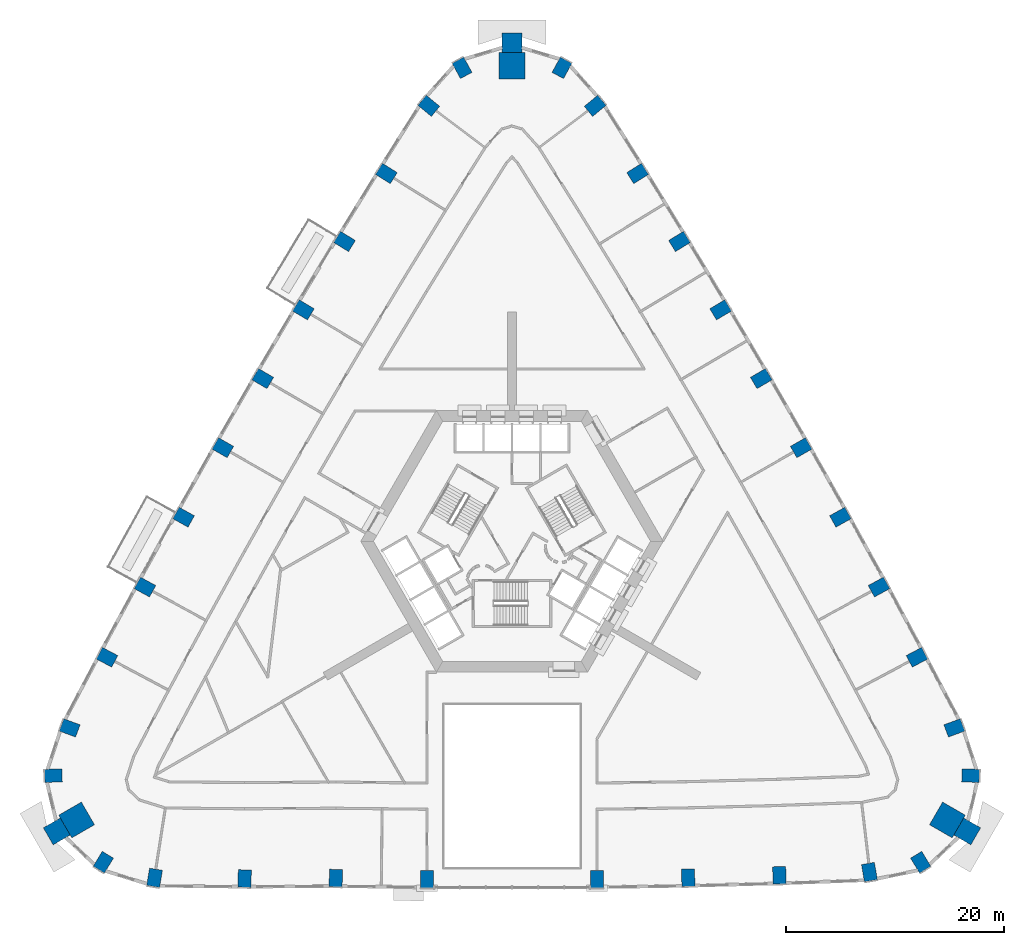
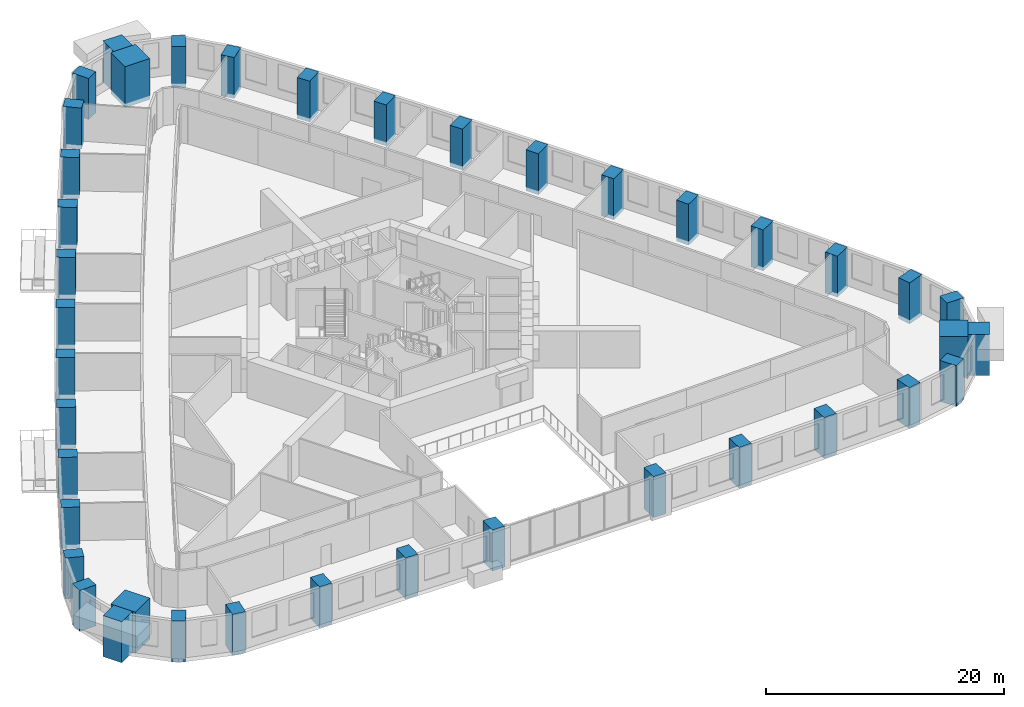
# One storey, part 1 of 16: 40 columns.
"""IFC4 building model written with IfcOpenShell, lengths in metres."""

from ifc_helpers import new_model, si_unit, direction, frame, origin, origin_2d, place, context, subcontext, project, spatial, rectangle, extrude, material, material_profile, profile_set, type_object, element, save


model = new_model("IFC4")

# Units and contexts
model_context = context("Model", 3, precision=1e-05, world=origin(), true_north=direction((0.0, 1.0)))
body_context = subcontext(model_context, "Body", "Model", "MODEL_VIEW")
ifc_project = project(units=[si_unit("LENGTHUNIT", "METRE"), si_unit("AREAUNIT", "SQUARE_METRE"), si_unit("VOLUMEUNIT", "CUBIC_METRE"), si_unit("PLANEANGLEUNIT", "RADIAN"), si_unit("MASSUNIT", "GRAM", prefix="KILO")], contexts=[model_context])

# Site, building, storey
site_placement = place(None, origin())
site = spatial("IfcSite", under=ifc_project, at=site_placement, CompositionType="ELEMENT")
building_placement = place(site_placement, origin())
building = spatial("IfcBuilding", under=site, at=building_placement, Name="Entoto Arch Interchange Tower", CompositionType="ELEMENT")
storey_placement = place(building_placement, frame((0.0, 0.0, 68.60009765625)))
storey = spatial("IfcBuildingStorey", under=building, at=storey_placement, Name="L14", CompositionType="ELEMENT", Elevation=68.60009765625)

# Columns
ifc_material_1 = material(Name="Concrete C60/75", Category="concrete")
ifc_material_profile_1 = material_profile(ifc_material_1, rectangle(XDim=1.199951171875, YDim=1.60009765625, at=origin_2d()))
ifc_profile_set_1 = profile_set([ifc_material_profile_1], Name="Concrete C60/75")
column_type_1 = type_object("IfcColumnType", Name="Column RC 1200x1600 C60/75", PredefinedType="COLUMN", material=ifc_profile_set_1)
for number, where, z_axis, x_axis, name in (
    (1, (-32.760986328125, -28.345947265625, -0.400146484375), (0.0, 0.0, 1.0), (-0.98600476771, 0.166717119856, 0.0), "Column S01 L14"),
    (2, (-24.510009765625, -28.416015625, -0.400146484375), (0.0, 0.0, 1.0), (-0.999434480961, 0.033626154508, 0.0), "Column S02 L14"),
    (3, (-16.14990234375, -28.367919921875, -0.400146484375), (0.0, 0.0, 1.0), (-0.99975435134, 0.022163866481, 0.0), "Column S03 L14"),
    (4, (-7.79296875, -28.4609375, -0.400146484375), (0.0, 0.0, 1.0), (-0.999966355195, 0.008202955488, 0.0), "Column S04 L14"),
    (5, (7.79296875, -28.4609375, -0.400146484375), (0.0, 0.0, 1.0), (0.999966355195, 0.008202955488, 0.0), "Column S05 L14"),
    (6, (16.14990234375, -28.33203125, -0.400146484375), (0.0, 0.0, 1.0), (0.99975435134, 0.022163866481, 0.0), "Column S06 L14"),
    (7, (24.510009765625, -28.114013671875, -0.400146484375), (0.0, 0.0, 1.0), (0.999434480961, 0.033626154508, 0.0), "Column S07 L14"),
    (8, (32.760986328125, -27.818115234375, -0.400146484375), (0.0, 0.0, 1.0), (0.98600476771, 0.166717119856, 0.0), "Column S08 L14"),
    (9, (37.45703125, -26.9130859375, -0.400146484375), (0.0, 0.0, 1.0), (0.854522294989, 0.519414716163, 0.0), "Column SE1 L14"),
    (10, (42.034912109375, -18.98193359375, -0.400146484375), (0.0, 0.0, 1.0), (0.022565191802, 0.999745373642, 0.0), "Column SE3 L14"),
    (11, (40.5439453125, -14.60400390625, -0.400146484375), (0.0, 0.0, 1.0), (-0.348277574304, 0.937391450375, 0.0), "Column NE01 L14"),
    (12, (37.116943359375, -8.132080078125, -0.400146484375), (0.0, 0.0, 1.0), (-0.46931745221, 0.883029517656, 0.0), "Column NE02 L14"),
    (13, (33.639892578125, -1.695068359375, -0.400146484375), (0.0, 0.0, 1.0), (-0.478140110514, 0.878283573066, 0.0), "Column NE03 L14"),
    (14, (30.10205078125, 4.7080078125, -0.400146484375), (0.0, 0.0, 1.0), (-0.486914781103, 0.873449481048, 0.0), "Column NE04 L14"),
    (15, (26.5029296875, 11.077880859375, -0.400146484375), (0.0, 0.0, 1.0), (-0.495655741916, 0.868519076074, 0.0), "Column NE05 L14"),
    (16, (22.845947265625, 17.4130859375, -0.400146484375), (0.0, 0.0, 1.0), (-0.504331712594, 0.863510002068, 0.0), "Column NE06 L14"),
    (17, (19.126953125, 23.714111328125, -0.400146484375), (0.0, 0.0, 1.0), (-0.512972048958, 0.858405310438, 0.0), "Column NE07 L14"),
    (18, (15.35107421875, 29.98095703125, -0.400146484375), (0.0, 0.0, 1.0), (-0.521545830745, 0.853223268806, 0.0), "Column NE08 L14"),
    (19, (11.51611328125, 36.2109375, -0.400146484375), (0.0, 0.0, 1.0), (-0.530067268476, 0.847955594881, 0.0), "Column NE09 L14"),
    (20, (7.625, 42.4140625, -0.400146484375), (0.0, 0.0, 1.0), (-0.637666022163, 0.770312952103, 0.0), "Column NE10 L14"),
    (21, (4.5791015625, 45.89501953125, -0.400146484375), (0.0, 0.0, 1.0), (-0.877079103306, 0.48034596547, 0.0), "Column N1 L14"),
    (22, (-4.5791015625, 45.89501953125, -0.400146484375), (0.0, 0.0, 1.0), (0.877079103306, 0.48034596547, 0.0), "Column N3 L14"),
    (23, (-7.625, 42.4140625, -0.400146484375), (0.0, 0.0, 1.0), (0.637666022163, 0.770312952103, 0.0), "Column NW01 L14"),
    (24, (-11.51611328125, 36.2109375, -0.400146484375), (0.0, 0.0, 1.0), (0.530067268476, 0.847955594881, 0.0), "Column NW02 L14"),
    (25, (-15.35107421875, 29.98095703125, -0.400146484375), (0.0, 0.0, 1.0), (0.521545830745, 0.853223268806, 0.0), "Column NW03 L14"),
    (26, (-19.126953125, 23.714111328125, -0.400146484375), (0.0, 0.0, 1.0), (0.512972048958, 0.858405310438, 0.0), "Column NW04 L14"),
    (27, (-22.845947265625, 17.4130859375, -0.400146484375), (0.0, 0.0, 1.0), (0.504331712594, 0.863510002068, 0.0), "Column NW05 L14"),
    (28, (-26.5029296875, 11.077880859375, -0.400146484375), (0.0, 0.0, 1.0), (0.495655741916, 0.868519076074, 0.0), "Column NW06 L14"),
    (29, (-30.10205078125, 4.7080078125, -0.400146484375), (0.0, 0.0, 1.0), (0.486914781103, 0.873449481048, 0.0), "Column NW07 L14"),
    (30, (-33.639892578125, -1.695068359375, -0.400146484375), (0.0, 0.0, 1.0), (0.478140110514, 0.878283573066, 0.0), "Column NW08 L14"),
    (31, (-37.116943359375, -8.132080078125, -0.400146484375), (0.0, 0.0, 1.0), (0.46931745221, 0.883029517656, 0.0), "Column NW09 L14"),
    (32, (-40.5439453125, -14.60400390625, -0.400146484375), (0.0, 0.0, 1.0), (0.348277574304, 0.937391450375, 0.0), "Column NW10 L14"),
    (33, (-42.034912109375, -18.98193359375, -0.400146484375), (0.0, 0.0, 1.0), (-0.022565191802, 0.999745373642, 0.0), "Column SW1 L14"),
    (34, (-37.45703125, -26.9130859375, -0.400146484375), (0.0, 0.0, 1.0), (-0.854522294989, 0.519414716163, 0.0), "Column SW3 L14"),
):
    element("IfcColumn", number, at=place(storey_placement, frame(where, z_axis=z_axis, x_axis=x_axis)), inside=storey, type_object=column_type_1, Name=name, PredefinedType="COLUMN", context=body_context, shape_type="SweptSolid", body=[
        extrude(rectangle(XDim=1.199951171875, YDim=1.60009765625, at=origin_2d()), origin(), (0.0, 0.0, 1.0), 4.199951171875),
    ])
ifc_material_2 = material(Name="Precast concrete C40/50", Category="concrete")
ifc_material_profile_2 = material_profile(ifc_material_2, rectangle(XDim=1.800048828125, YDim=1.800048828125, at=origin_2d()))
ifc_profile_set_2 = profile_set([ifc_material_profile_2], Name="Precast concrete C40/50")
column_type_2 = type_object("IfcColumnType", Name="Frame post RC 1800x1800 precast C40/50", PredefinedType="COLUMN", material=ifc_profile_set_2)
for number, where, z_axis, x_axis, name in (
    (35, (41.72705078125, -24.091064453125, -0.400146484375), (0.0, 0.0, 1.0), (-0.866025403784, 0.5, 0.0), "Frame post SE L14"),
    (36, (0.0, 48.181884765625, -0.400146484375), (0.0, 0.0, 1.0), (0.0, 1.0, 0.0), "Frame post N L14"),
    (37, (-41.72705078125, -24.091064453125, -0.400146484375), (0.0, 0.0, 1.0), (0.866025403784, 0.5, 0.0), "Frame post SW L14"),
):
    element("IfcColumn", number, at=place(storey_placement, frame(where, z_axis=z_axis, x_axis=x_axis)), inside=storey, type_object=column_type_2, Name=name, PredefinedType="COLUMN", context=body_context, shape_type="SweptSolid", body=[
        extrude(rectangle(XDim=1.800048828125, YDim=1.800048828125, at=origin_2d()), origin(), (0.0, 0.0, 1.0), 4.199951171875),
    ])
ifc_material_profile_3 = material_profile(ifc_material_1, rectangle(XDim=2.39990234375, YDim=2.39990234375, at=origin_2d()))
ifc_profile_set_3 = profile_set([ifc_material_profile_3], Name="Concrete C60/75")
column_type_3 = type_object("IfcColumnType", Name="Mega column RC 2400x2400 C60/75", PredefinedType="COLUMN", material=ifc_profile_set_3)
for number, where, z_axis, x_axis, name in (
    (38, (39.907958984375, -23.041015625, -0.400146484375), (0.0, 0.0, 1.0), (-0.866025403784, 0.5, 0.0), "Corner mega column SE2 L14"),
    (39, (0.0, 46.08203125, -0.400146484375), (0.0, 0.0, 1.0), (0.0, 1.0, 0.0), "Corner mega column N2 L14"),
    (40, (-39.907958984375, -23.041015625, -0.400146484375), (0.0, 0.0, 1.0), (0.866025403784, 0.5, 0.0), "Corner mega column SW2 L14"),
):
    element("IfcColumn", number, at=place(storey_placement, frame(where, z_axis=z_axis, x_axis=x_axis)), inside=storey, type_object=column_type_3, Name=name, PredefinedType="COLUMN", context=body_context, shape_type="SweptSolid", body=[
        extrude(rectangle(XDim=2.39990234375, YDim=2.39990234375, at=origin_2d()), origin(), (0.0, 0.0, 1.0), 4.199951171875),
    ])

save(model, "model.ifc")
